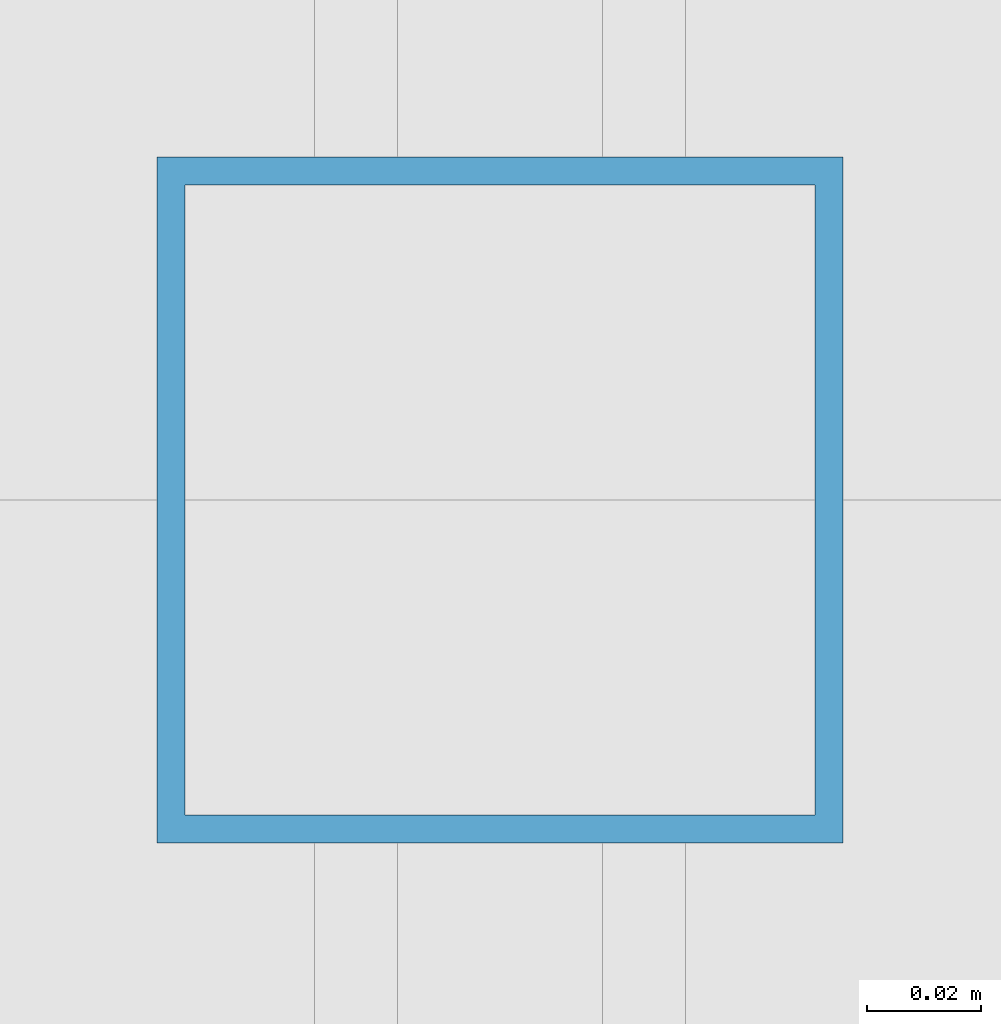
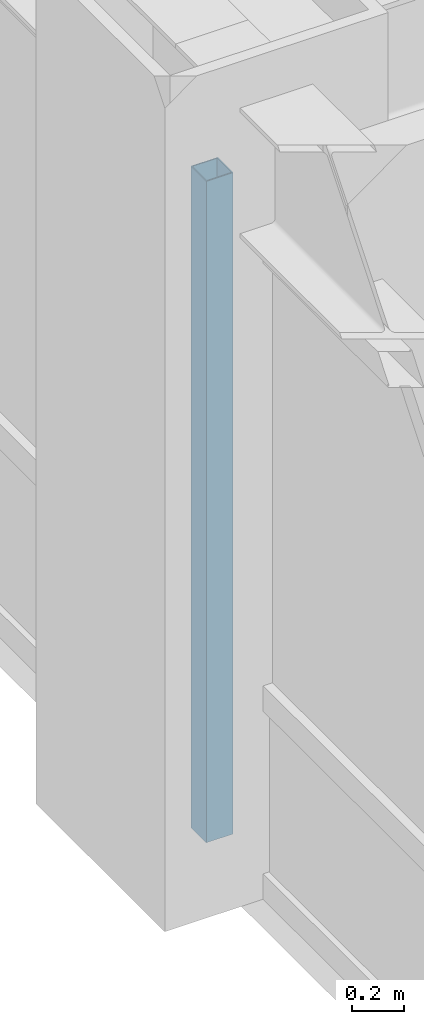
# One storey, part 6 of 24: 1 member, 1 element without a shape of its own.
"""IFC4 building model written with IfcOpenShell, lengths in metres."""

from ifc_helpers import new_model, si_unit, direction, frame, origin, origin_2d, place, context, subcontext, project, spatial, hollow_rectangle, extrude, source, transform, mapped, material, material_profile, profile_set, type_object, element, aggregate, save


model = new_model("IFC4")

# Units and contexts
model_context = context("Model", 3, precision=1e-05, world=origin(), true_north=direction((0.0, 1.0)))
body_context = subcontext(model_context, "Body", "Model", "MODEL_VIEW")
ifc_project = project(units=[si_unit("LENGTHUNIT", "METRE"), si_unit("AREAUNIT", "SQUARE_METRE"), si_unit("VOLUMEUNIT", "CUBIC_METRE"), si_unit("PLANEANGLEUNIT", "RADIAN"), si_unit("MASSUNIT", "GRAM", prefix="KILO")], contexts=[model_context])

# Site, building, storey
site_placement = place(None, origin())
site = spatial("IfcSite", under=ifc_project, at=site_placement, CompositionType="ELEMENT")
building_placement = place(site_placement, origin())
building = spatial("IfcBuilding", under=site, at=building_placement, Name="Khorayat Bourse Tower", CompositionType="ELEMENT")
storey_placement = place(building_placement, frame((0.0, 0.0, 211.10009765625)))
storey = spatial("IfcBuildingStorey", under=building, at=storey_placement, Name="L49", CompositionType="ELEMENT", Elevation=211.10009765625)

# Curtain wall, member
ifc_material = material(Name="Aluminium EN AW-6063 T6", Category="aluminium")
curtain_wall_type = type_object("IfcCurtainWallType", Name="CW-SYS-03", PredefinedType="NOTDEFINED", material=ifc_material)
curtain_wall_placement = place(storey_placement, origin())
curtain_wall = element("IfcCurtainWall", 1, at=curtain_wall_placement, inside=storey, type_object=curtain_wall_type, Name="L49 Curtain Wall CW-L49-W1", PredefinedType="NOTDEFINED")
ifc_material_profile = material_profile(ifc_material, hollow_rectangle(XDim=0.1201171875, YDim=0.1201171875, WallThickness=0.0048828125, at=origin_2d()), Name="ALU 120x120x5")
ifc_profile_set = profile_set([ifc_material_profile], Name="Aluminium EN AW-6063 T6")
member_type = type_object("IfcMemberType", Name="CWM-VERT-120", PredefinedType="MULLION", material=ifc_profile_set)
shared_shape = source(origin(), body_context, "Body", "SweptSolid", [
    extrude(hollow_rectangle(XDim=0.1201171875, YDim=0.1201171875, WallThickness=0.0048828125, at=origin_2d()), origin(), (0.0, 0.0, 1.0), 3.1298828125),
])
member_placement = place(storey_placement, frame((-30.0, 0.0, 0.0), z_axis=(0.0, 0.0, 1.0), x_axis=(-1.0, 0.0, 0.0)))
member = element("IfcMember", 2, at=member_placement, type_object=member_type, Name="CW-L49-W1 Vertical Mullion 2", PredefinedType="MULLION", context=body_context, shape_type="MappedRepresentation", body=[
    mapped(shared_shape, transform((0.0, 0.0, 0.0), scale=1.0)),
])
aggregate(curtain_wall, [member])

save(model, "model.ifc")
